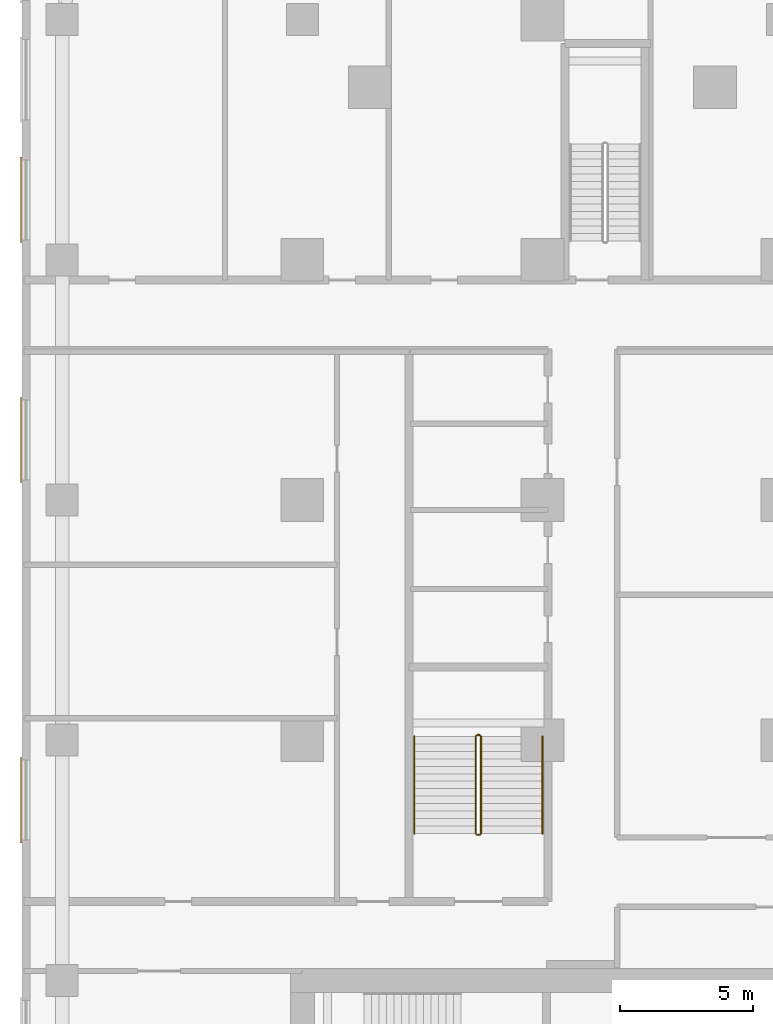
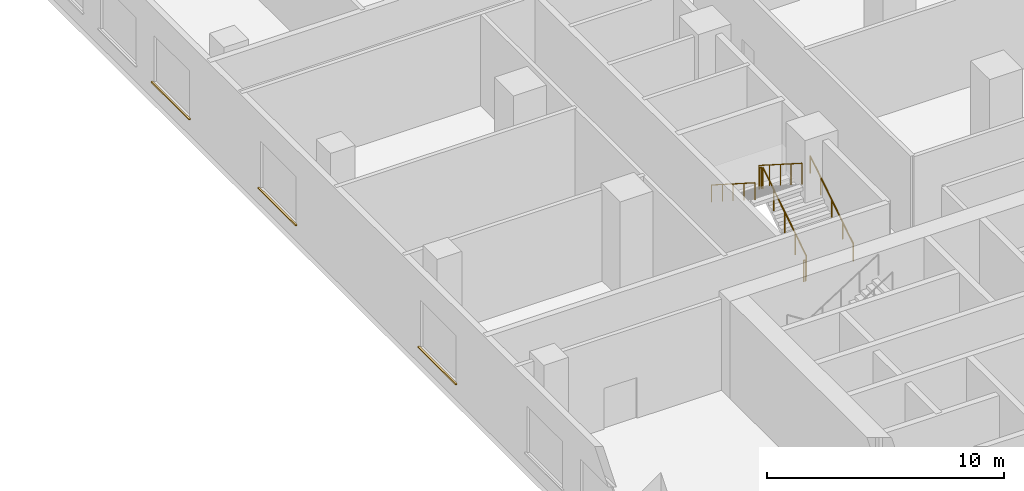
# One storey, part 27 of 35: 6 railings, 3 coverings.
"""IFC4 building model written with IfcOpenShell, lengths in metres."""

from ifc_helpers import new_model, si_unit, direction, frame, origin, origin_2d, place, context, subcontext, project, spatial, rectangle, circle, extrude, material, layer, layer_set, type_object, element, save


model = new_model("IFC4")

# Units and contexts
model_context = context("Model", 3, precision=1e-05, world=origin(), true_north=direction((0.0, 1.0)))
body_context = subcontext(model_context, "Body", "Model", "MODEL_VIEW")
ifc_project = project(units=[si_unit("LENGTHUNIT", "METRE"), si_unit("AREAUNIT", "SQUARE_METRE"), si_unit("VOLUMEUNIT", "CUBIC_METRE"), si_unit("PLANEANGLEUNIT", "RADIAN"), si_unit("MASSUNIT", "GRAM", prefix="KILO")], contexts=[model_context])

# Site, building, storey
site_placement = place(None, origin())
site = spatial("IfcSite", under=ifc_project, at=site_placement, CompositionType="ELEMENT")
building_placement = place(site_placement, origin())
building = spatial("IfcBuilding", under=site, at=building_placement, Name="Ogive Portal Towers", CompositionType="ELEMENT")
storey_placement = place(building_placement, frame((0.0, 0.0, 18.5)))
storey = spatial("IfcBuildingStorey", under=building, at=storey_placement, Name="L03", CompositionType="ELEMENT", Elevation=18.5)

# Railings
ifc_material_1 = material(Name="Stainless steel balustrade", Category="steel")
railing_type_1 = type_object("IfcRailingType", Name="INT-GUARD", PredefinedType="GUARDRAIL", material=ifc_material_1)
railing_1_placement = place(storey_placement, frame((38.199951171875, 45.0, 0.178466796875)))
element("IfcRailing", 1, at=railing_1_placement, inside=storey, type_object=railing_type_1, Name="L03 ST-P2 stair guard 1", PredefinedType="GUARDRAIL", context=body_context, shape_type="SweptSolid", body=[
    extrude(circle(Radius=0.02392578125, at=origin_2d()), frame((0.0, 0.0, 1.076171875), z_axis=(0.0, 0.843111507901, 0.53773877045), x_axis=(-1.0, 0.0, 0.0)), (0.0, 0.0, 1.0), 4.317138671875),
    extrude(circle(Radius=0.02099609375, at=origin_2d()), origin(), (0.0, 0.0, 1.0), 1.052001953125),
    extrude(circle(Radius=0.02099609375, at=origin_2d()), frame((0.0, 0.909912109375, 0.580322265625)), (0.0, 0.0, 1.0), 1.052001953125),
    extrude(circle(Radius=0.02099609375, at=origin_2d()), frame((0.0, 1.81982421875, 1.16064453125)), (0.0, 0.0, 1.0), 1.052001953125),
    extrude(circle(Radius=0.02099609375, at=origin_2d()), frame((0.0, 2.72998046875, 1.7412109375)), (0.0, 0.0, 1.0), 1.052001953125),
    extrude(circle(Radius=0.02099609375, at=origin_2d()), frame((0.0, 3.639892578125, 2.321533203125)), (0.0, 0.0, 1.0), 1.052001953125),
])
railing_2_placement = place(storey_placement, frame((38.14990234375, 48.68994140625, 2.5)))
element("IfcRailing", 2, at=railing_2_placement, inside=storey, type_object=railing_type_1, Name="L03 ST-P2 stair guard 2", PredefinedType="GUARDRAIL", context=body_context, shape_type="SweptSolid", body=[
    extrude(circle(Radius=0.02392578125, at=origin_2d()), frame((0.0, 0.0, 1.076171875), z_axis=(-1.0, 0.0, 0.0), x_axis=(0.0, -1.0, 0.0)), (0.0, 0.0, 1.0), 0.099853515625),
    extrude(circle(Radius=0.02099609375, at=origin_2d()), origin(), (0.0, 0.0, 1.0), 1.052001953125),
    extrude(circle(Radius=0.02099609375, at=origin_2d()), frame((-0.099853515625, 0.0, 0.0)), (0.0, 0.0, 1.0), 1.052001953125),
])
railing_3_placement = place(storey_placement, frame((38.0, 48.639892578125, 2.678466796875)))
element("IfcRailing", 3, at=railing_3_placement, inside=storey, type_object=railing_type_1, Name="L03 ST-P2 stair guard 3", PredefinedType="GUARDRAIL", context=body_context, shape_type="SweptSolid", body=[
    extrude(circle(Radius=0.02392578125, at=origin_2d()), frame((0.0, 0.0, 1.076171875), z_axis=(0.0, -0.843111507901, 0.53773877045), x_axis=(1.0, 0.0, 0.0)), (0.0, 0.0, 1.0), 4.317138671875),
    extrude(circle(Radius=0.02099609375, at=origin_2d()), origin(), (0.0, 0.0, 1.0), 1.052001953125),
    extrude(circle(Radius=0.02099609375, at=origin_2d()), frame((0.0, -0.909912109375, 0.580322265625)), (0.0, 0.0, 1.0), 1.052001953125),
    extrude(circle(Radius=0.02099609375, at=origin_2d()), frame((0.0, -1.81982421875, 1.16064453125)), (0.0, 0.0, 1.0), 1.052001953125),
    extrude(circle(Radius=0.02099609375, at=origin_2d()), frame((0.0, -2.72998046875, 1.7412109375)), (0.0, 0.0, 1.0), 1.052001953125),
    extrude(circle(Radius=0.02099609375, at=origin_2d()), frame((0.0, -3.639892578125, 2.321533203125)), (0.0, 0.0, 1.0), 1.052001953125),
])
railing_4_placement = place(storey_placement, frame((38.14990234375, 44.949951171875, 0.0)))
element("IfcRailing", 4, at=railing_4_placement, inside=storey, type_object=railing_type_1, Name="L03 ST-P2 stair guard 4", PredefinedType="GUARDRAIL", context=body_context, shape_type="SweptSolid", body=[
    extrude(circle(Radius=0.02392578125, at=origin_2d()), frame((0.0, 0.0, 1.076171875), z_axis=(-1.0, 0.0, 0.0), x_axis=(0.0, -1.0, 0.0)), (0.0, 0.0, 1.0), 0.099853515625),
    extrude(circle(Radius=0.02099609375, at=origin_2d()), origin(), (0.0, 0.0, 1.0), 1.052001953125),
    extrude(circle(Radius=0.02099609375, at=origin_2d()), frame((-0.099853515625, 0.0, 0.0)), (0.0, 0.0, 1.0), 1.052001953125),
])
ifc_material_2 = material(Name="Stainless steel handrail", Category="steel")
railing_type_2 = type_object("IfcRailingType", Name="INT-HANDRAIL", PredefinedType="HANDRAIL", material=ifc_material_2)
railing_5_placement = place(storey_placement, frame((40.5, 45.0, 0.178466796875)))
element("IfcRailing", 5, at=railing_5_placement, inside=storey, type_object=railing_type_2, Name="L03 ST-P2 stair handrail 1", PredefinedType="HANDRAIL", context=body_context, shape_type="SweptSolid", body=[
    extrude(circle(Radius=0.02392578125, at=origin_2d()), frame((0.0, 0.0, 0.8759765625), z_axis=(0.0, 0.843111507901, 0.53773877045), x_axis=(-1.0, 0.0, 0.0)), (0.0, 0.0, 1.0), 4.317138671875),
    extrude(circle(Radius=0.02099609375, at=origin_2d()), origin(), (0.0, 0.0, 1.0), 0.851806640625),
    extrude(circle(Radius=0.02099609375, at=origin_2d()), frame((0.0, 0.909912109375, 0.580322265625)), (0.0, 0.0, 1.0), 0.851806640625),
    extrude(circle(Radius=0.02099609375, at=origin_2d()), frame((0.0, 1.81982421875, 1.16064453125)), (0.0, 0.0, 1.0), 0.851806640625),
    extrude(circle(Radius=0.02099609375, at=origin_2d()), frame((0.0, 2.72998046875, 1.7412109375)), (0.0, 0.0, 1.0), 0.851806640625),
    extrude(circle(Radius=0.02099609375, at=origin_2d()), frame((0.0, 3.639892578125, 2.321533203125)), (0.0, 0.0, 1.0), 0.851806640625),
])
railing_6_placement = place(storey_placement, frame((35.699951171875, 48.639892578125, 2.678466796875)))
element("IfcRailing", 6, at=railing_6_placement, inside=storey, type_object=railing_type_2, Name="L03 ST-P2 stair handrail 2", PredefinedType="HANDRAIL", context=body_context, shape_type="SweptSolid", body=[
    extrude(circle(Radius=0.02392578125, at=origin_2d()), frame((0.0, 0.0, 0.8759765625), z_axis=(0.0, -0.843111507901, 0.53773877045), x_axis=(1.0, 0.0, 0.0)), (0.0, 0.0, 1.0), 4.317138671875),
    extrude(circle(Radius=0.02099609375, at=origin_2d()), origin(), (0.0, 0.0, 1.0), 0.851806640625),
    extrude(circle(Radius=0.02099609375, at=origin_2d()), frame((0.0, -0.909912109375, 0.580322265625)), (0.0, 0.0, 1.0), 0.851806640625),
    extrude(circle(Radius=0.02099609375, at=origin_2d()), frame((0.0, -1.81982421875, 1.16064453125)), (0.0, 0.0, 1.0), 0.851806640625),
    extrude(circle(Radius=0.02099609375, at=origin_2d()), frame((0.0, -2.72998046875, 1.7412109375)), (0.0, 0.0, 1.0), 0.851806640625),
    extrude(circle(Radius=0.02099609375, at=origin_2d()), frame((0.0, -3.639892578125, 2.321533203125)), (0.0, 0.0, 1.0), 0.851806640625),
])

# Coverings
ifc_material_3 = material(Name="Limestone cladding on lightweight block wall", Category="masonry")
ifc_layer = layer(ifc_material_3, 0.080078125)
ifc_layer_set = layer_set([ifc_layer], Name="STONE SILL 80")
covering_type = type_object("IfcCoveringType", Name="STONE SILL 80", PredefinedType="CLADDING", material=ifc_layer_set)
for number, where, z_axis, x_axis, name in (
    (7, (20.9599609375, 68.75, 0.840087890625), (0.0, 0.0, 1.0), (0.0, -1.0, 0.0), "Stone sill"),
    (8, (20.9599609375, 59.75, 0.840087890625), (0.0, 0.0, 1.0), (0.0, -1.0, 0.0), "Stone sill"),
    (9, (20.9599609375, 46.25, 0.840087890625), (0.0, 0.0, 1.0), (0.0, -1.0, 0.0), "Stone sill"),
):
    element("IfcCovering", number, at=place(storey_placement, frame(where, z_axis=z_axis, x_axis=x_axis)), inside=storey, type_object=covering_type, Name=name, PredefinedType="CLADDING", context=body_context, shape_type="SweptSolid", body=[
        extrude(rectangle(XDim=3.199951171875, YDim=0.080078125, at=origin_2d()), origin(), (0.0, 0.0, 1.0), 0.06005859375),
    ])

save(model, "model.ifc")
